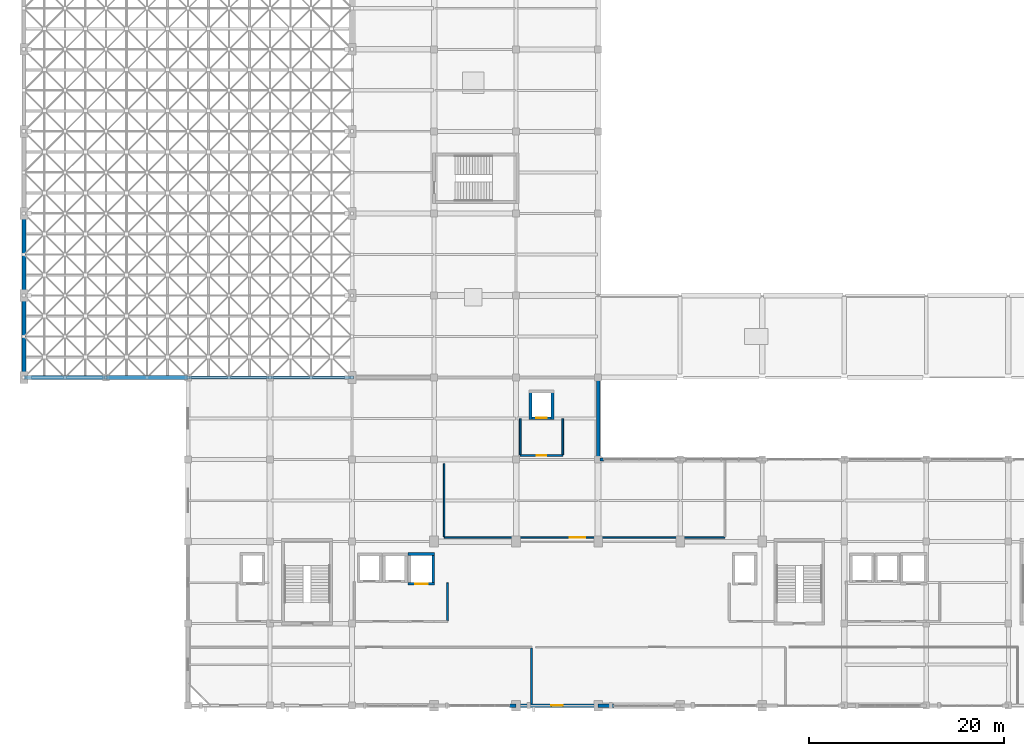
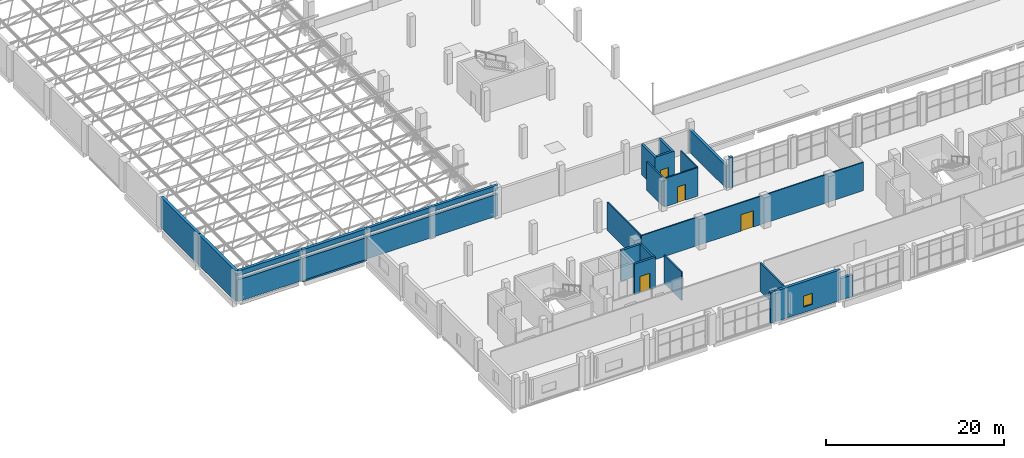
# One storey, part 52 of 64: 27 walls, 4 doors, 1 window, 5 openings.
"""IFC4 building model written with IfcOpenShell, lengths in metres."""

from ifc_helpers import new_model, si_unit, derived_unit, direction, frame, frame_2d, origin, place, context, subcontext, project, spatial, rectangle, extrude, material, layer, layer_set, type_object, element, fill, save


model = new_model("IFC4")

# Units and contexts
model_context = context("Model", 3, precision=1e-05, world=origin(), true_north=direction((0.0, 1.0)))
body_context = subcontext(model_context, "Body", "Model", "MODEL_VIEW")
ifc_project = project(units=[si_unit("LENGTHUNIT", "METRE"), si_unit("AREAUNIT", "SQUARE_METRE"), si_unit("VOLUMEUNIT", "CUBIC_METRE"), si_unit("PLANEANGLEUNIT", "RADIAN"), si_unit("MASSUNIT", "GRAM", prefix="KILO"), derived_unit("THERMALTRANSMITTANCEUNIT", [(si_unit("POWERUNIT", "WATT"), 1), (si_unit("LENGTHUNIT", "METRE"), -2), (si_unit("THERMODYNAMICTEMPERATUREUNIT", "KELVIN"), -1)])], contexts=[model_context])

# Site, building, storey
site_placement = place(None, origin())
site = spatial("IfcSite", under=ifc_project, at=site_placement, CompositionType="ELEMENT")
building_placement = place(site_placement, origin())
building = spatial("IfcBuilding", under=site, at=building_placement, Name="Barrovel Congress Hotel", CompositionType="ELEMENT")
storey_placement = place(building_placement, frame((0.0, 0.0, 14.10009765625)))
storey = spatial("IfcBuildingStorey", under=building, at=storey_placement, Name="L03", CompositionType="ELEMENT", Elevation=14.10009765625)

# Walls
ifc_material_1 = material(Name="Fired Clay Brick Masonry", Category="masonry")
ifc_layer_1 = layer(ifc_material_1, 0.340087890625)
ifc_layer_set_1 = layer_set([ifc_layer_1], Name="Fired Clay Brick Masonry")
wall_type_1 = type_object("IfcWallType", Name="EW-BRK340", PredefinedType="STANDARD", material=ifc_layer_set_1)
wall_1_placement = place(storey_placement, frame((59.39990234375, 29.39990234375, 0.0), z_axis=(0.0, 0.0, 1.0), x_axis=(-1.0, 0.0, 0.0)))
element("IfcWall", 1, at=wall_1_placement, inside=storey, type_object=wall_type_1, Name="EW:L03:CSJ-L:7", PredefinedType="STANDARD", context=body_context, shape_type="SweptSolid", body=[
    extrude(rectangle(XDim=0.429931640625, YDim=0.340087890625, at=frame_2d((0.21484375, 0.0))), origin(), (0.0, 0.0, 1.0), 4.199951171875),
])
wall_2_placement = place(storey_placement, frame((33.800048828125, 37.800048828125, 0.0), z_axis=(0.0, 0.0, 1.0), x_axis=(-1.0, 0.0, 0.0)))
element("IfcWall", 2, at=wall_2_placement, inside=storey, type_object=wall_type_1, Name="EW:L03:V4N-W", PredefinedType="STANDARD", context=body_context, shape_type="SweptSolid", body=[
    extrude(rectangle(XDim=17.0, YDim=0.340087890625, at=frame_2d((8.5, 0.0))), origin(), (0.0, 0.0, 1.0), 2.9833984375),
])
wall_3_placement = place(storey_placement, frame((58.800048828125, 29.39990234375, 0.0), z_axis=(0.0, 0.0, 1.0), x_axis=(0.0, 1.0, 0.0)))
element("IfcWall", 3, at=wall_3_placement, inside=storey, type_object=wall_type_1, Name="EW:L03:V4W-C", PredefinedType="STANDARD", context=body_context, shape_type="SweptSolid", body=[
    extrude(rectangle(XDim=8.400146484375, YDim=0.340087890625, at=frame_2d((4.2001953125, 0.0))), origin(), (0.0, 0.0, 1.0), 3.0498046875),
])
wall_4_placement = place(storey_placement, frame((33.800048828125, 37.800048828125, 3.516357421875), z_axis=(0.0, 0.0, 1.0), x_axis=(-1.0, 0.0, 0.0)))
element("IfcWall", 4, at=wall_4_placement, inside=storey, type_object=wall_type_1, Name="EW:L03:V4N-W:U", PredefinedType="STANDARD", context=body_context, shape_type="SweptSolid", body=[
    extrude(rectangle(XDim=17.0, YDim=0.340087890625, at=frame_2d((8.5, 0.0))), origin(), (0.0, 0.0, 1.0), 0.68359375),
])
ifc_layer_2 = layer(ifc_material_1, 0.360107421875)
ifc_layer_set_2 = layer_set([ifc_layer_2], Name="Fired Clay Brick Masonry")
wall_type_2 = type_object("IfcWallType", Name="EW-BRK360", PredefinedType="STANDARD", material=ifc_layer_set_2)
wall_5_placement = place(storey_placement, frame((49.739990234375, 4.199951171875, 0.0), z_axis=(0.0, 0.0, 1.0), x_axis=(1.0, 0.0, 0.0)))
element("IfcWall", 5, at=wall_5_placement, inside=storey, type_object=wall_type_2, Name="EW:L03:SJ-R:5", PredefinedType="STANDARD", context=body_context, shape_type="SweptSolid", body=[
    extrude(rectangle(XDim=0.659912109375, YDim=0.360107421875, at=frame_2d((0.330078125, 0.0))), origin(), (0.0, 0.0, 1.0), 4.199951171875),
])

# Wall, opening, window
wall_6_placement = place(storey_placement, frame((50.39990234375, 4.199951171875, 0.0), z_axis=(0.0, 0.0, 1.0), x_axis=(1.0, 0.0, 0.0)))
wall_6 = element("IfcWall", 6, at=wall_6_placement, inside=storey, type_object=wall_type_2, Name="EW:L03:S:06", PredefinedType="STANDARD", context=body_context, shape_type="SweptSolid", body=[
    extrude(rectangle(XDim=8.400146484375, YDim=0.360107421875, at=frame_2d((4.2001953125, 0.0))), origin(), (0.0, 0.0, 1.0), 4.199951171875),
])
opening_1_placement = place(wall_6_placement, frame((3.60009765625, 0.0, 0.75)))
opening_1 = element("IfcOpeningElement", 7, at=opening_1_placement, cuts=wall_6, Name="Opening WN-01", PredefinedType="OPENING", context=body_context, shape_type="SweptSolid", body=[
    extrude(rectangle(XDim=1.199951171875, YDim=1.5, at=frame_2d((0.60009765625, 0.75))), frame((0.0, 0.18994140625, 0.0), z_axis=(0.0, -1.0, 0.0), x_axis=(1.0, 0.0, 0.0)), (0.0, 0.0, 1.0), 0.380126953125),
])
ifc_material_2 = material(Name="Double Low-E Insulated Glazing", Category="glass")
window_type = type_object("IfcWindowType", Name="WIN-WN-01", PartitioningType="SINGLE_PANEL", PredefinedType="WINDOW", material=ifc_material_2)
window_placement = place(opening_1_placement, origin())
window = element("IfcWindow", 8, at=window_placement, inside=storey, type_object=window_type, Name="WIN:L03:S:06", OverallHeight=1.5, OverallWidth=1.199951171875, PartitioningType="SINGLE_PANEL", PredefinedType="WINDOW", context=body_context, shape_type="SweptSolid", body=[
    extrude(rectangle(XDim=1.199951171875, YDim=1.5, at=frame_2d((0.60009765625, 0.75))), frame((0.0, 0.030029296875, 0.0), z_axis=(0.0, -1.0, 0.0), x_axis=(1.0, 0.0, 0.0)), (0.0, 0.0, 1.0), 0.06005859375),
])
fill(opening_1, window)

# Walls
wall_7_placement = place(storey_placement, frame((58.800048828125, 4.199951171875, 0.0), z_axis=(0.0, 0.0, 1.0), x_axis=(1.0, 0.0, 0.0)))
element("IfcWall", 9, at=wall_7_placement, inside=storey, type_object=wall_type_2, Name="EW:L03:SJ-L:7", PredefinedType="STANDARD", context=body_context, shape_type="SweptSolid", body=[
    extrude(rectangle(XDim=1.619873046875, YDim=0.360107421875, at=frame_2d((0.81005859375, 0.0))), origin(), (0.0, 0.0, 1.0), 2.949951171875),
])
ifc_layer_3 = layer(ifc_material_1, 0.3798828125)
ifc_layer_set_3 = layer_set([ifc_layer_3], Name="Fired Clay Brick Masonry")
wall_type_3 = type_object("IfcWallType", Name="EW-BRK380", PredefinedType="STANDARD", material=ifc_layer_set_3)
wall_8_placement = place(storey_placement, frame((0.0, 54.60009765625, 0.0), z_axis=(0.0, 0.0, 1.0), x_axis=(0.0, -1.0, 0.0)))
element("IfcWall", 10, at=wall_8_placement, inside=storey, type_object=wall_type_3, Name="EW:L03:V1W:46.2", PredefinedType="STANDARD", context=body_context, shape_type="SweptSolid", body=[
    extrude(rectangle(XDim=8.400146484375, YDim=0.3798828125, at=frame_2d((4.2001953125, 0.0))), origin(), (0.0, 0.0, 1.0), 4.199951171875),
])
wall_9_placement = place(storey_placement, frame((0.0, 46.199951171875, 0.0), z_axis=(0.0, 0.0, 1.0), x_axis=(0.0, -1.0, 0.0)))
element("IfcWall", 11, at=wall_9_placement, inside=storey, type_object=wall_type_3, Name="EW:L03:V1W:37.8", PredefinedType="STANDARD", context=body_context, shape_type="SweptSolid", body=[
    extrude(rectangle(XDim=8.39990234375, YDim=0.3798828125, at=frame_2d((4.199951171875, 0.0))), origin(), (0.0, 0.0, 1.0), 4.199951171875),
])
wall_10_placement = place(storey_placement, frame((0.0, 37.800048828125, 0.0), z_axis=(0.0, 0.0, 1.0), x_axis=(1.0, 0.0, 0.0)))
element("IfcWall", 12, at=wall_10_placement, inside=storey, type_object=wall_type_3, Name="EW:L03:V1S:0", PredefinedType="STANDARD", context=body_context, shape_type="SweptSolid", body=[
    extrude(rectangle(XDim=8.39990234375, YDim=0.3798828125, at=frame_2d((4.199951171875, 0.0))), origin(), (0.0, 0.0, 1.0), 2.9833984375),
])
wall_11_placement = place(storey_placement, frame((8.39990234375, 37.800048828125, 0.0), z_axis=(0.0, 0.0, 1.0), x_axis=(1.0, 0.0, 0.0)))
element("IfcWall", 13, at=wall_11_placement, inside=storey, type_object=wall_type_3, Name="EW:L03:V1S:1", PredefinedType="STANDARD", context=body_context, shape_type="SweptSolid", body=[
    extrude(rectangle(XDim=8.400146484375, YDim=0.3798828125, at=frame_2d((4.2001953125, 0.0))), origin(), (0.0, 0.0, 1.0), 2.9833984375),
])
wall_12_placement = place(storey_placement, frame((0.0, 37.800048828125, 3.516357421875), z_axis=(0.0, 0.0, 1.0), x_axis=(1.0, 0.0, 0.0)))
element("IfcWall", 14, at=wall_12_placement, inside=storey, type_object=wall_type_3, Name="EW:L03:V1S:0:U", PredefinedType="STANDARD", context=body_context, shape_type="SweptSolid", body=[
    extrude(rectangle(XDim=8.39990234375, YDim=0.3798828125, at=frame_2d((4.199951171875, 0.0))), origin(), (0.0, 0.0, 1.0), 0.68359375),
])
wall_13_placement = place(storey_placement, frame((8.39990234375, 37.800048828125, 3.516357421875), z_axis=(0.0, 0.0, 1.0), x_axis=(1.0, 0.0, 0.0)))
element("IfcWall", 15, at=wall_13_placement, inside=storey, type_object=wall_type_3, Name="EW:L03:V1S:1:U", PredefinedType="STANDARD", context=body_context, shape_type="SweptSolid", body=[
    extrude(rectangle(XDim=8.400146484375, YDim=0.3798828125, at=frame_2d((4.2001953125, 0.0))), origin(), (0.0, 0.0, 1.0), 0.68359375),
])
wall_14_placement = place(storey_placement, frame((8.39990234375, 37.800048828125, -0.239990234375), z_axis=(0.0, 0.0, 1.0), x_axis=(1.0, 0.0, 0.0)))
element("IfcWall", 16, at=wall_14_placement, inside=storey, type_object=wall_type_3, Name="EW:L03:V1S:1:B", PredefinedType="STANDARD", context=body_context, shape_type="SweptSolid", body=[
    extrude(rectangle(XDim=8.400146484375, YDim=0.3798828125, at=frame_2d((4.2001953125, 0.0))), origin(), (0.0, 0.0, 1.0), 0.239990234375),
])
ifc_material_3 = material(Name="Gypsum Acoustic Stud", Category="gypsum")
ifc_layer_4 = layer(ifc_material_3, 0.179931640625)
ifc_layer_set_4 = layer_set([ifc_layer_4], Name="Gypsum Acoustic Stud")
wall_type_4 = type_object("IfcWallType", Name="PW-ACU-180", PredefinedType="PARTITIONING", material=ifc_layer_set_4)
wall_15_placement = place(storey_placement, frame((43.3798828125, 12.909912109375, 0.0), z_axis=(0.0, 0.0, 1.0), x_axis=(0.0, 1.0, 0.0)))
element("IfcWall", 17, at=wall_15_placement, inside=storey, type_object=wall_type_4, Name="RW:SP:L03:LL-SL1:E", PredefinedType="PARTITIONING", context=body_context, shape_type="SweptSolid", body=[
    extrude(rectangle(XDim=3.8701171875, YDim=0.179931640625, at=frame_2d((1.93505859375, 0.0))), origin(), (0.0, 0.0, 1.0), 3.89501953125),
])

# Wall, opening, door
wall_16_placement = place(storey_placement, frame((50.820068359375, 29.820068359375, 0.0), z_axis=(0.0, 0.0, 1.0), x_axis=(1.0, 0.0, 0.0)))
wall_16 = element("IfcWall", 18, at=wall_16_placement, inside=storey, type_object=wall_type_4, Name="RW:SP:L03:LL-CL1:S", PredefinedType="PARTITIONING", context=body_context, shape_type="SweptSolid", body=[
    extrude(rectangle(XDim=4.35986328125, YDim=0.179931640625, at=frame_2d((2.179931640625, 0.0))), origin(), (0.0, 0.0, 1.0), 3.89501953125),
])
opening_2_placement = place(wall_16_placement, frame((1.669921875, 0.0, 0.0)))
opening_2 = element("IfcOpeningElement", 19, at=opening_2_placement, cuts=wall_16, Name="Opening ID-ACC", PredefinedType="OPENING", context=body_context, shape_type="SweptSolid", body=[
    extrude(rectangle(XDim=1.02001953125, YDim=2.14990234375, at=frame_2d((0.510009765625, 1.074951171875))), frame((0.0, 0.10009765625, 0.0), z_axis=(0.0, -1.0, 0.0), x_axis=(1.0, 0.0, 0.0)), (0.0, 0.0, 1.0), 0.199951171875),
])
ifc_material_4 = material(Name="Solid Oak Acoustic Timber Door", Category="wood")
door_type_1 = type_object("IfcDoorType", Name="IDR-ID-ACC", OperationType="NOTDEFINED", PredefinedType="DOOR", material=ifc_material_4)
door_1_placement = place(opening_2_placement, origin())
door_1 = element("IfcDoor", 20, at=door_1_placement, inside=storey, type_object=door_type_1, Name="RD:SP:L03:LL-CL1", OperationType="SINGLE_SWING_RIGHT", OverallHeight=2.14990234375, OverallWidth=1.02001953125, PredefinedType="DOOR", context=body_context, shape_type="SweptSolid", body=[
    extrude(rectangle(XDim=1.02001953125, YDim=2.14990234375, at=frame_2d((0.510009765625, 1.074951171875))), frame((0.0, 0.02490234375, 0.0), z_axis=(0.0, -1.0, 0.0), x_axis=(1.0, 0.0, 0.0)), (0.0, 0.0, 1.0), 0.050048828125),
])
fill(opening_2, door_1)

# Walls
for number, where, z_axis, x_axis, name in (
    (21, (50.820068359375, 29.909912109375, 0.0), (0.0, 0.0, 1.0), (0.0, 1.0, 0.0), "RW:SP:L03:LL-CL1:W"),
    (22, (55.179931640625, 29.909912109375, 0.0), (0.0, 0.0, 1.0), (0.0, 1.0, 0.0), "RW:SP:L03:LL-CL1:E"),
):
    element("IfcWall", number, at=place(storey_placement, frame(where, z_axis=z_axis, x_axis=x_axis)), inside=storey, type_object=wall_type_4, Name=name, PredefinedType="PARTITIONING", context=body_context, shape_type="SweptSolid", body=[
        extrude(rectangle(XDim=3.670166015625, YDim=0.179931640625, at=frame_2d((1.8349609375, 0.0))), origin(), (0.0, 0.0, 1.0), 3.89501953125),
    ])
wall_17_placement = place(storey_placement, frame((51.97998046875, 4.3798828125, 0.0), z_axis=(0.0, 0.0, 1.0), x_axis=(0.0, 1.0, 0.0)))
element("IfcWall", 23, at=wall_17_placement, inside=storey, type_object=wall_type_4, Name="RW:SP:L03:EXEC-1:E", PredefinedType="PARTITIONING", context=body_context, shape_type="SweptSolid", body=[
    extrude(rectangle(XDim=5.710205078125, YDim=0.179931640625, at=frame_2d((2.85498046875, 0.0))), origin(), (0.0, 0.0, 1.0), 3.89501953125),
])

# Wall, opening, door
ifc_layer_5 = layer(ifc_material_3, 0.14990234375)
ifc_layer_set_5 = layer_set([ifc_layer_5], Name="Gypsum Acoustic Stud")
wall_type_5 = type_object("IfcWallType", Name="PW-STD-150", PredefinedType="PARTITIONING", material=ifc_layer_set_5)
wall_18_placement = place(storey_placement, frame((43.02001953125, 21.419921875, 0.0), z_axis=(0.0, 0.0, 1.0), x_axis=(1.0, 0.0, 0.0)))
wall_18 = element("IfcWall", 24, at=wall_18_placement, inside=storey, type_object=wall_type_5, Name="RW:SP:L03:ADM-OF:S", PredefinedType="PARTITIONING", context=body_context, shape_type="SweptSolid", body=[
    extrude(rectangle(XDim=28.760009765625, YDim=0.14990234375, at=frame_2d((14.3798828125, 0.0))), origin(), (0.0, 0.0, 1.0), 3.89501953125),
])
opening_3_placement = place(wall_18_placement, frame((12.8798828125, 0.0, 0.0)))
opening_3 = element("IfcOpeningElement", 25, at=opening_3_placement, cuts=wall_18, Name="Opening ID-MTG", PredefinedType="OPENING", context=body_context, shape_type="SweptSolid", body=[
    extrude(rectangle(XDim=1.60009765625, YDim=2.25, at=frame_2d((0.800048828125, 1.125))), frame((0.0, 0.0849609375, 0.0), z_axis=(0.0, -1.0, 0.0), x_axis=(1.0, 0.0, 0.0)), (0.0, 0.0, 1.0), 0.169921875),
])
door_type_2 = type_object("IfcDoorType", Name="IDR-ID-MTG", OperationType="NOTDEFINED", PredefinedType="DOOR", material=ifc_material_4)
door_2_placement = place(opening_3_placement, origin())
door_2 = element("IfcDoor", 26, at=door_2_placement, inside=storey, type_object=door_type_2, Name="RD:SP:L03:ADM-OF", OperationType="DOUBLE_DOOR_SINGLE_SWING", OverallHeight=2.25, OverallWidth=1.60009765625, PredefinedType="DOOR", context=body_context, shape_type="SweptSolid", body=[
    extrude(rectangle(XDim=1.60009765625, YDim=2.25, at=frame_2d((0.800048828125, 1.125))), frame((0.0, 0.02490234375, 0.0), z_axis=(0.0, -1.0, 0.0), x_axis=(1.0, 0.0, 0.0)), (0.0, 0.0, 1.0), 0.050048828125),
])
fill(opening_3, door_2)

# Wall
wall_19_placement = place(storey_placement, frame((43.02001953125, 21.4951171875, 0.0), z_axis=(0.0, 0.0, 1.0), x_axis=(0.0, 1.0, 0.0)))
element("IfcWall", 27, at=wall_19_placement, inside=storey, type_object=wall_type_5, Name="RW:SP:L03:ADM-OF:W", PredefinedType="PARTITIONING", context=body_context, shape_type="SweptSolid", body=[
    extrude(rectangle(XDim=7.48486328125, YDim=0.14990234375, at=frame_2d((3.742431640625, 0.0))), origin(), (0.0, 0.0, 1.0), 3.89501953125),
])

# Wall, opening, door
ifc_material_5 = material(Name="Concrete C40", Category="concrete")
ifc_layer_6 = layer(ifc_material_5, 0.280029296875)
ifc_layer_set_6 = layer_set([ifc_layer_6], Name="Concrete C40")
wall_type_6 = type_object("IfcWallType", Name="SW-C40-280", PredefinedType="SHEAR", material=ifc_layer_set_6)
wall_20_placement = place(storey_placement, frame((51.739990234375, 33.6298828125, 0.0), z_axis=(0.0, 0.0, 1.0), x_axis=(1.0, 0.0, 0.0)))
wall_20 = element("IfcWall", 28, at=wall_20_placement, inside=storey, type_object=wall_type_6, Name="LSH:CL-1:L03:S", PredefinedType="SHEAR", context=body_context, shape_type="SweptSolid", body=[
    extrude(rectangle(XDim=2.52001953125, YDim=0.280029296875, at=frame_2d((1.260009765625, 0.0))), origin(), (0.0, 0.0, 1.0), 4.199951171875),
])
opening_4_placement = place(wall_20_placement, frame((0.735107421875, 0.0, 0.0)))
opening_4 = element("IfcOpeningElement", 29, at=opening_4_placement, cuts=wall_20, Name="Opening LD-PAX", PredefinedType="OPENING", context=body_context, shape_type="SweptSolid", body=[
    extrude(rectangle(XDim=1.050048828125, YDim=2.199951171875, at=frame_2d((0.52490234375, 1.10009765625))), frame((0.0, 0.14990234375, 0.0), z_axis=(0.0, -1.0, 0.0), x_axis=(1.0, 0.0, 0.0)), (0.0, 0.0, 1.0), 0.300048828125),
])
ifc_material_6 = material(Name="Brushed Stainless Steel", Category="steel")
door_type_3 = type_object("IfcDoorType", Name="IDR-LD-PAX", OperationType="NOTDEFINED", PredefinedType="DOOR", material=ifc_material_6)
door_3_placement = place(opening_4_placement, origin())
door_3 = element("IfcDoor", 30, at=door_3_placement, inside=storey, type_object=door_type_3, Name="Lift Landing Door LD-CL-1-L03", OperationType="SLIDING_TO_LEFT", OverallHeight=2.199951171875, OverallWidth=1.050048828125, PredefinedType="DOOR", context=body_context, shape_type="SweptSolid", body=[
    extrude(rectangle(XDim=1.050048828125, YDim=2.199951171875, at=frame_2d((0.52490234375, 1.10009765625))), frame((0.0, 0.02490234375, 0.0), z_axis=(0.0, -1.0, 0.0), x_axis=(1.0, 0.0, 0.0)), (0.0, 0.0, 1.0), 0.050048828125),
])
fill(opening_4, door_3)

# Walls
for number, where, z_axis, x_axis, name in (
    (31, (54.1201171875, 33.489990234375, 0.0), (0.0, 0.0, 1.0), (0.0, 1.0, 0.0), "LSH:CL-1:L03:E"),
    (32, (51.8798828125, 36.510009765625, 0.0), (0.0, 0.0, 1.0), (0.0, -1.0, 0.0), "LSH:CL-1:L03:W"),
):
    element("IfcWall", number, at=place(storey_placement, frame(where, z_axis=z_axis, x_axis=x_axis)), inside=storey, type_object=wall_type_6, Name=name, PredefinedType="SHEAR", context=body_context, shape_type="SweptSolid", body=[
        extrude(rectangle(XDim=3.02001953125, YDim=0.280029296875, at=frame_2d((1.510009765625, 0.0))), origin(), (0.0, 0.0, 1.0), 4.199951171875),
    ])

# Wall, opening, door
wall_21_placement = place(storey_placement, frame((39.340087890625, 16.679931640625, 0.0), z_axis=(0.0, 0.0, 1.0), x_axis=(1.0, 0.0, 0.0)))
wall_21 = element("IfcWall", 33, at=wall_21_placement, inside=storey, type_object=wall_type_6, Name="LSH:SL-1:L03:S", PredefinedType="SHEAR", context=body_context, shape_type="SweptSolid", body=[
    extrude(rectangle(XDim=2.719970703125, YDim=0.280029296875, at=frame_2d((1.35986328125, 0.0))), origin(), (0.0, 0.0, 1.0), 4.199951171875),
])
opening_5_placement = place(wall_21_placement, frame((0.7099609375, 0.0, 0.0)))
opening_5 = element("IfcOpeningElement", 34, at=opening_5_placement, cuts=wall_21, Name="Opening LD-SRV", PredefinedType="OPENING", context=body_context, shape_type="SweptSolid", body=[
    extrude(rectangle(XDim=1.300048828125, YDim=2.25, at=frame_2d((0.64990234375, 1.125))), frame((0.0, 0.14990234375, 0.0), z_axis=(0.0, -1.0, 0.0), x_axis=(1.0, 0.0, 0.0)), (0.0, 0.0, 1.0), 0.300048828125),
])
door_type_4 = type_object("IfcDoorType", Name="IDR-LD-SRV", OperationType="NOTDEFINED", PredefinedType="DOOR", material=ifc_material_6)
door_4_placement = place(opening_5_placement, origin())
door_4 = element("IfcDoor", 35, at=door_4_placement, inside=storey, type_object=door_type_4, Name="Lift Landing Door LD-SL-1-L03", OperationType="SLIDING_TO_LEFT", OverallHeight=2.25, OverallWidth=1.300048828125, PredefinedType="DOOR", context=body_context, shape_type="SweptSolid", body=[
    extrude(rectangle(XDim=1.300048828125, YDim=2.25, at=frame_2d((0.64990234375, 1.125))), frame((0.0, 0.02490234375, 0.0), z_axis=(0.0, -1.0, 0.0), x_axis=(1.0, 0.0, 0.0)), (0.0, 0.0, 1.0), 0.050048828125),
])
fill(opening_5, door_4)

# Walls
wall_22_placement = place(storey_placement, frame((41.919921875, 16.5400390625, 0.0), z_axis=(0.0, 0.0, 1.0), x_axis=(0.0, 1.0, 0.0)))
element("IfcWall", 36, at=wall_22_placement, inside=storey, type_object=wall_type_6, Name="LSH:SL-1:L03:E", PredefinedType="SHEAR", context=body_context, shape_type="SweptSolid", body=[
    extrude(rectangle(XDim=3.320068359375, YDim=0.280029296875, at=frame_2d((1.66015625, 0.0))), origin(), (0.0, 0.0, 1.0), 4.199951171875),
])
wall_23_placement = place(storey_placement, frame((42.06005859375, 19.719970703125, 0.0), z_axis=(0.0, 0.0, 1.0), x_axis=(-1.0, 0.0, 0.0)))
element("IfcWall", 37, at=wall_23_placement, inside=storey, type_object=wall_type_6, Name="LSH:SL-1:L03:N", PredefinedType="SHEAR", context=body_context, shape_type="SweptSolid", body=[
    extrude(rectangle(XDim=2.719970703125, YDim=0.280029296875, at=frame_2d((1.35986328125, 0.0))), origin(), (0.0, 0.0, 1.0), 4.199951171875),
])

save(model, "model.ifc")
